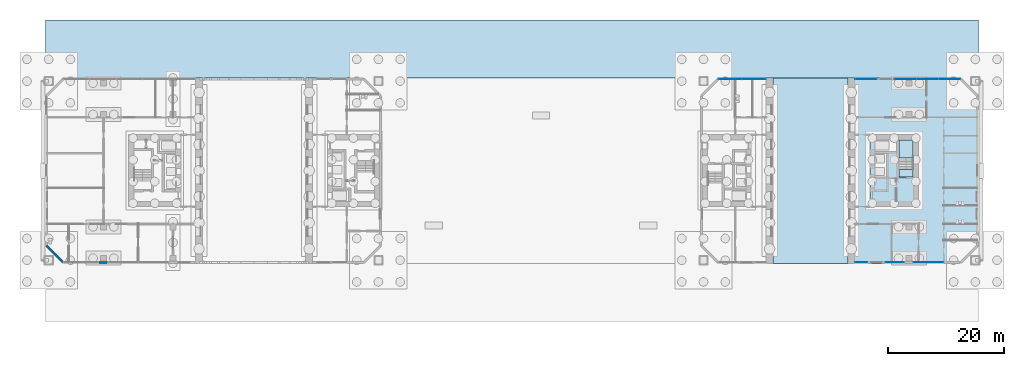
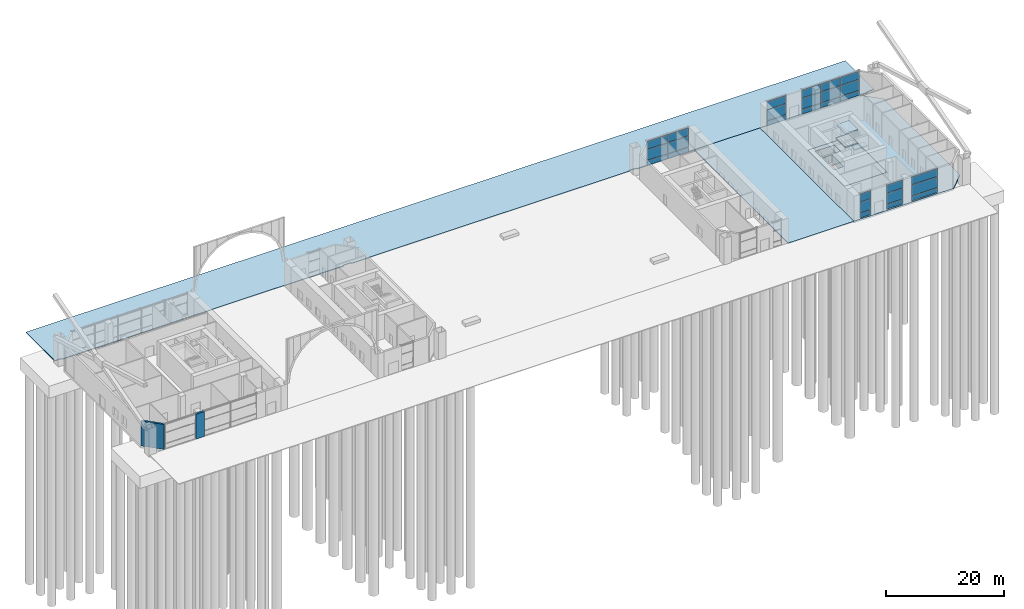
# One storey, part 12 of 26: 27 plates, 7 slabs, 2 walls, 7 elements without a shape of their own.
"""IFC4 building model written with IfcOpenShell, lengths in metres."""

from ifc_helpers import new_model, si_unit, direction, frame, frame_2d, origin, origin_2d, place, context, subcontext, project, spatial, polyline, rectangle, outline, extrude, material, layer, layer_set, type_object, element, aggregate, save


model = new_model("IFC4")

# Units and contexts
model_context = context("Model", 3, precision=1e-05, world=origin(), true_north=direction((0.0, 1.0)))
body_context = subcontext(model_context, "Body", "Model", "MODEL_VIEW")
ifc_project = project(units=[si_unit("LENGTHUNIT", "METRE"), si_unit("AREAUNIT", "SQUARE_METRE"), si_unit("VOLUMEUNIT", "CUBIC_METRE"), si_unit("PLANEANGLEUNIT", "RADIAN"), si_unit("MASSUNIT", "GRAM", prefix="KILO")], contexts=[model_context])

# Site, building, storey
site_placement = place(None, origin())
site = spatial("IfcSite", under=ifc_project, at=site_placement, CompositionType="ELEMENT")
building_placement = place(site_placement, origin())
building = spatial("IfcBuilding", under=site, at=building_placement, Name="Tuart Gate Housing", CompositionType="ELEMENT")
storey_placement = place(building_placement, origin())
storey = spatial("IfcBuildingStorey", under=building, at=storey_placement, Name="L00", CompositionType="ELEMENT", Elevation=0.0)

# Curtain wall, plates
ifc_material_1 = material(Name="Aluminium and clear glass", Category="aluminium")
curtain_wall_type = type_object("IfcCurtainWallType", Name="Ground storey glazing", PredefinedType="USERDEFINED", material=ifc_material_1)
curtain_wall_1_placement = place(storey_placement, origin())
curtain_wall_1 = element("IfcCurtainWall", 1, at=curtain_wall_1_placement, inside=storey, type_object=curtain_wall_type, Name="Ground storey glazing B-S L00", ObjectType="GROUND STOREY GLAZING", PredefinedType="USERDEFINED")
ifc_material_2 = material(Name="Clear glass", Category="glass")
ifc_layer_1 = layer(ifc_material_2, 0.028076171875)
ifc_layer_set_1 = layer_set([ifc_layer_1], Name="Glazed panel 28")
plate_type = type_object("IfcPlateType", Name="Glazed panel 28", PredefinedType="CURTAIN_PANEL", material=ifc_layer_set_1)
plate_1_placement = place(storey_placement, frame((158.77490234375, 54.179931640625, 0.1201171875), z_axis=(0.0, 0.0, 1.0), x_axis=(1.0, 0.0, 0.0)))
plate_1 = element("IfcPlate", 2, at=plate_1_placement, type_object=plate_type, Name="CW2 panel 1.1", PredefinedType="CURTAIN_PANEL", context=body_context, shape_type="SweptSolid", body=[
    extrude(rectangle(XDim=2.1298828125, YDim=0.028076171875, at=origin_2d()), origin(), (0.0, 0.0, 1.0), 0.919921875),
])
plate_2_placement = place(storey_placement, frame((158.77490234375, 54.179931640625, 1.16015625), z_axis=(0.0, 0.0, 1.0), x_axis=(1.0, 0.0, 0.0)))
plate_2 = element("IfcPlate", 3, at=plate_2_placement, type_object=plate_type, Name="CW2 panel 1.2", PredefinedType="CURTAIN_PANEL", context=body_context, shape_type="SweptSolid", body=[
    extrude(rectangle(XDim=2.1298828125, YDim=0.028076171875, at=origin_2d()), origin(), (0.0, 0.0, 1.0), 2.179931640625),
])
plate_3_placement = place(storey_placement, frame((158.77490234375, 54.179931640625, 3.4599609375), z_axis=(0.0, 0.0, 1.0), x_axis=(1.0, 0.0, 0.0)))
plate_3 = element("IfcPlate", 4, at=plate_3_placement, type_object=plate_type, Name="CW2 panel 1.3", PredefinedType="CURTAIN_PANEL", context=body_context, shape_type="SweptSolid", body=[
    extrude(rectangle(XDim=2.1298828125, YDim=0.028076171875, at=origin_2d()), origin(), (0.0, 0.0, 1.0), 1.6201171875),
])
aggregate(curtain_wall_1, [plate_1, plate_2, plate_3])

curtain_wall_2_placement = place(storey_placement, origin())
curtain_wall_2 = element("IfcCurtainWall", 5, at=curtain_wall_2_placement, inside=storey, type_object=curtain_wall_type, Name="Ground storey glazing B-S L00", ObjectType="GROUND STOREY GLAZING", PredefinedType="USERDEFINED")
plate_4_placement = place(storey_placement, frame((164.550048828125, 54.179931640625, 0.1201171875), z_axis=(0.0, 0.0, 1.0), x_axis=(1.0, 0.0, 0.0)))
plate_4 = element("IfcPlate", 6, at=plate_4_placement, type_object=plate_type, Name="CW2 panel 1.1", PredefinedType="CURTAIN_PANEL", context=body_context, shape_type="SweptSolid", body=[
    extrude(rectangle(XDim=3.179931640625, YDim=0.028076171875, at=origin_2d()), origin(), (0.0, 0.0, 1.0), 0.919921875),
])
plate_5_placement = place(storey_placement, frame((164.550048828125, 54.179931640625, 1.16015625), z_axis=(0.0, 0.0, 1.0), x_axis=(1.0, 0.0, 0.0)))
plate_5 = element("IfcPlate", 7, at=plate_5_placement, type_object=plate_type, Name="CW2 panel 1.2", PredefinedType="CURTAIN_PANEL", context=body_context, shape_type="SweptSolid", body=[
    extrude(rectangle(XDim=3.179931640625, YDim=0.028076171875, at=origin_2d()), origin(), (0.0, 0.0, 1.0), 2.179931640625),
])
plate_6_placement = place(storey_placement, frame((164.550048828125, 54.179931640625, 3.4599609375), z_axis=(0.0, 0.0, 1.0), x_axis=(1.0, 0.0, 0.0)))
plate_6 = element("IfcPlate", 8, at=plate_6_placement, type_object=plate_type, Name="CW2 panel 1.3", PredefinedType="CURTAIN_PANEL", context=body_context, shape_type="SweptSolid", body=[
    extrude(rectangle(XDim=3.179931640625, YDim=0.028076171875, at=origin_2d()), origin(), (0.0, 0.0, 1.0), 1.6201171875),
])
aggregate(curtain_wall_2, [plate_4, plate_5, plate_6])

curtain_wall_3_placement = place(storey_placement, origin())
curtain_wall_3 = element("IfcCurtainWall", 9, at=curtain_wall_3_placement, inside=storey, type_object=curtain_wall_type, Name="Ground storey glazing B-S L00", ObjectType="GROUND STOREY GLAZING", PredefinedType="USERDEFINED")
plate_7_placement = place(storey_placement, frame((170.39990234375, 54.179931640625, 0.1201171875), z_axis=(0.0, 0.0, 1.0), x_axis=(1.0, 0.0, 0.0)))
plate_7 = element("IfcPlate", 10, at=plate_7_placement, type_object=plate_type, Name="CW2 panel 1.1", PredefinedType="CURTAIN_PANEL", context=body_context, shape_type="SweptSolid", body=[
    extrude(rectangle(XDim=5.080078125, YDim=0.028076171875, at=origin_2d()), origin(), (0.0, 0.0, 1.0), 0.919921875),
])
plate_8_placement = place(storey_placement, frame((170.39990234375, 54.179931640625, 1.16015625), z_axis=(0.0, 0.0, 1.0), x_axis=(1.0, 0.0, 0.0)))
plate_8 = element("IfcPlate", 11, at=plate_8_placement, type_object=plate_type, Name="CW2 panel 1.2", PredefinedType="CURTAIN_PANEL", context=body_context, shape_type="SweptSolid", body=[
    extrude(rectangle(XDim=5.080078125, YDim=0.028076171875, at=origin_2d()), origin(), (0.0, 0.0, 1.0), 2.179931640625),
])
plate_9_placement = place(storey_placement, frame((170.39990234375, 54.179931640625, 3.4599609375), z_axis=(0.0, 0.0, 1.0), x_axis=(1.0, 0.0, 0.0)))
plate_9 = element("IfcPlate", 12, at=plate_9_placement, type_object=plate_type, Name="CW2 panel 1.3", PredefinedType="CURTAIN_PANEL", context=body_context, shape_type="SweptSolid", body=[
    extrude(rectangle(XDim=5.080078125, YDim=0.028076171875, at=origin_2d()), origin(), (0.0, 0.0, 1.0), 1.6201171875),
])
aggregate(curtain_wall_3, [plate_7, plate_8, plate_9])

curtain_wall_4_placement = place(storey_placement, origin())
curtain_wall_4 = element("IfcCurtainWall", 13, at=curtain_wall_4_placement, inside=storey, type_object=curtain_wall_type, Name="Ground storey glazing B-N L00", ObjectType="GROUND STOREY GLAZING", PredefinedType="USERDEFINED")
plate_10_placement = place(storey_placement, frame((174.006103515625, 85.820068359375, 0.1201171875), z_axis=(0.0, 0.0, 1.0), x_axis=(-1.0, 0.0, 0.0)))
plate_10 = element("IfcPlate", 14, at=plate_10_placement, type_object=plate_type, Name="CW2 panel 1.1", PredefinedType="CURTAIN_PANEL", context=body_context, shape_type="SweptSolid", body=[
    extrude(rectangle(XDim=3.718505859375, YDim=0.028076171875, at=origin_2d()), origin(), (0.0, 0.0, 1.0), 0.919921875),
])
plate_11_placement = place(storey_placement, frame((174.006103515625, 85.820068359375, 1.16015625), z_axis=(0.0, 0.0, 1.0), x_axis=(-1.0, 0.0, 0.0)))
plate_11 = element("IfcPlate", 15, at=plate_11_placement, type_object=plate_type, Name="CW2 panel 1.2", PredefinedType="CURTAIN_PANEL", context=body_context, shape_type="SweptSolid", body=[
    extrude(rectangle(XDim=3.718505859375, YDim=0.028076171875, at=origin_2d()), origin(), (0.0, 0.0, 1.0), 2.179931640625),
])
plate_12_placement = place(storey_placement, frame((174.006103515625, 85.820068359375, 3.4599609375), z_axis=(0.0, 0.0, 1.0), x_axis=(-1.0, 0.0, 0.0)))
plate_12 = element("IfcPlate", 16, at=plate_12_placement, type_object=plate_type, Name="CW2 panel 1.3", PredefinedType="CURTAIN_PANEL", context=body_context, shape_type="SweptSolid", body=[
    extrude(rectangle(XDim=3.718505859375, YDim=0.028076171875, at=origin_2d()), origin(), (0.0, 0.0, 1.0), 1.6201171875),
])
plate_13_placement = place(storey_placement, frame((170.212646484375, 85.820068359375, 0.1201171875), z_axis=(0.0, 0.0, 1.0), x_axis=(-1.0, 0.0, 0.0)))
plate_13 = element("IfcPlate", 17, at=plate_13_placement, type_object=plate_type, Name="CW2 panel 2.1", PredefinedType="CURTAIN_PANEL", context=body_context, shape_type="SweptSolid", body=[
    extrude(rectangle(XDim=3.74853515625, YDim=0.028076171875, at=origin_2d()), origin(), (0.0, 0.0, 1.0), 0.919921875),
])
plate_14_placement = place(storey_placement, frame((170.212646484375, 85.820068359375, 1.16015625), z_axis=(0.0, 0.0, 1.0), x_axis=(-1.0, 0.0, 0.0)))
plate_14 = element("IfcPlate", 18, at=plate_14_placement, type_object=plate_type, Name="CW2 panel 2.2", PredefinedType="CURTAIN_PANEL", context=body_context, shape_type="SweptSolid", body=[
    extrude(rectangle(XDim=3.74853515625, YDim=0.028076171875, at=origin_2d()), origin(), (0.0, 0.0, 1.0), 2.179931640625),
])
plate_15_placement = place(storey_placement, frame((170.212646484375, 85.820068359375, 3.4599609375), z_axis=(0.0, 0.0, 1.0), x_axis=(-1.0, 0.0, 0.0)))
plate_15 = element("IfcPlate", 19, at=plate_15_placement, type_object=plate_type, Name="CW2 panel 2.3", PredefinedType="CURTAIN_PANEL", context=body_context, shape_type="SweptSolid", body=[
    extrude(rectangle(XDim=3.74853515625, YDim=0.028076171875, at=origin_2d()), origin(), (0.0, 0.0, 1.0), 1.6201171875),
])
plate_16_placement = place(storey_placement, frame((166.419189453125, 85.820068359375, 0.1201171875), z_axis=(0.0, 0.0, 1.0), x_axis=(-1.0, 0.0, 0.0)))
plate_16 = element("IfcPlate", 20, at=plate_16_placement, type_object=plate_type, Name="CW2 panel 3.1", PredefinedType="CURTAIN_PANEL", context=body_context, shape_type="SweptSolid", body=[
    extrude(rectangle(XDim=3.718505859375, YDim=0.028076171875, at=origin_2d()), origin(), (0.0, 0.0, 1.0), 0.919921875),
])
plate_17_placement = place(storey_placement, frame((166.419189453125, 85.820068359375, 1.16015625), z_axis=(0.0, 0.0, 1.0), x_axis=(-1.0, 0.0, 0.0)))
plate_17 = element("IfcPlate", 21, at=plate_17_placement, type_object=plate_type, Name="CW2 panel 3.2", PredefinedType="CURTAIN_PANEL", context=body_context, shape_type="SweptSolid", body=[
    extrude(rectangle(XDim=3.718505859375, YDim=0.028076171875, at=origin_2d()), origin(), (0.0, 0.0, 1.0), 2.179931640625),
])
plate_18_placement = place(storey_placement, frame((166.419189453125, 85.820068359375, 3.4599609375), z_axis=(0.0, 0.0, 1.0), x_axis=(-1.0, 0.0, 0.0)))
plate_18 = element("IfcPlate", 22, at=plate_18_placement, type_object=plate_type, Name="CW2 panel 3.3", PredefinedType="CURTAIN_PANEL", context=body_context, shape_type="SweptSolid", body=[
    extrude(rectangle(XDim=3.718505859375, YDim=0.028076171875, at=origin_2d()), origin(), (0.0, 0.0, 1.0), 1.6201171875),
])
aggregate(curtain_wall_4, [plate_10, plate_11, plate_12, plate_13, plate_14, plate_15, plate_16, plate_17, plate_18])

curtain_wall_5_placement = place(storey_placement, origin())
curtain_wall_5 = element("IfcCurtainWall", 23, at=curtain_wall_5_placement, inside=storey, type_object=curtain_wall_type, Name="Ground storey glazing B-N L00", ObjectType="GROUND STOREY GLAZING", PredefinedType="USERDEFINED")
plate_19_placement = place(storey_placement, frame((159.574951171875, 85.820068359375, 0.1201171875), z_axis=(0.0, 0.0, 1.0), x_axis=(-1.0, 0.0, 0.0)))
plate_19 = element("IfcPlate", 24, at=plate_19_placement, type_object=plate_type, Name="CW2 panel 1.1", PredefinedType="CURTAIN_PANEL", context=body_context, shape_type="SweptSolid", body=[
    extrude(rectangle(XDim=3.72998046875, YDim=0.028076171875, at=origin_2d()), origin(), (0.0, 0.0, 1.0), 0.919921875),
])
plate_20_placement = place(storey_placement, frame((159.574951171875, 85.820068359375, 1.16015625), z_axis=(0.0, 0.0, 1.0), x_axis=(-1.0, 0.0, 0.0)))
plate_20 = element("IfcPlate", 25, at=plate_20_placement, type_object=plate_type, Name="CW2 panel 1.2", PredefinedType="CURTAIN_PANEL", context=body_context, shape_type="SweptSolid", body=[
    extrude(rectangle(XDim=3.72998046875, YDim=0.028076171875, at=origin_2d()), origin(), (0.0, 0.0, 1.0), 2.179931640625),
])
plate_21_placement = place(storey_placement, frame((159.574951171875, 85.820068359375, 3.4599609375), z_axis=(0.0, 0.0, 1.0), x_axis=(-1.0, 0.0, 0.0)))
plate_21 = element("IfcPlate", 26, at=plate_21_placement, type_object=plate_type, Name="CW2 panel 1.3", PredefinedType="CURTAIN_PANEL", context=body_context, shape_type="SweptSolid", body=[
    extrude(rectangle(XDim=3.72998046875, YDim=0.028076171875, at=origin_2d()), origin(), (0.0, 0.0, 1.0), 1.6201171875),
])
aggregate(curtain_wall_5, [plate_19, plate_20, plate_21])

curtain_wall_6_placement = place(storey_placement, origin())
curtain_wall_6 = element("IfcCurtainWall", 27, at=curtain_wall_6_placement, inside=storey, type_object=curtain_wall_type, Name="Ground storey glazing B-N L00", ObjectType="GROUND STOREY GLAZING", PredefinedType="USERDEFINED")
plate_22_placement = place(storey_placement, frame((140.26611328125, 85.820068359375, 0.1201171875), z_axis=(0.0, 0.0, 1.0), x_axis=(-1.0, 0.0, 0.0)))
plate_22 = element("IfcPlate", 28, at=plate_22_placement, type_object=plate_type, Name="CW2 panel 1.1", PredefinedType="CURTAIN_PANEL", context=body_context, shape_type="SweptSolid", body=[
    extrude(rectangle(XDim=4.0478515625, YDim=0.028076171875, at=origin_2d()), origin(), (0.0, 0.0, 1.0), 0.919921875),
])
plate_23_placement = place(storey_placement, frame((140.26611328125, 85.820068359375, 1.16015625), z_axis=(0.0, 0.0, 1.0), x_axis=(-1.0, 0.0, 0.0)))
plate_23 = element("IfcPlate", 29, at=plate_23_placement, type_object=plate_type, Name="CW2 panel 1.2", PredefinedType="CURTAIN_PANEL", context=body_context, shape_type="SweptSolid", body=[
    extrude(rectangle(XDim=4.0478515625, YDim=0.028076171875, at=origin_2d()), origin(), (0.0, 0.0, 1.0), 2.179931640625),
])
plate_24_placement = place(storey_placement, frame((140.26611328125, 85.820068359375, 3.4599609375), z_axis=(0.0, 0.0, 1.0), x_axis=(-1.0, 0.0, 0.0)))
plate_24 = element("IfcPlate", 30, at=plate_24_placement, type_object=plate_type, Name="CW2 panel 1.3", PredefinedType="CURTAIN_PANEL", context=body_context, shape_type="SweptSolid", body=[
    extrude(rectangle(XDim=4.0478515625, YDim=0.028076171875, at=origin_2d()), origin(), (0.0, 0.0, 1.0), 1.6201171875),
])
plate_25_placement = place(storey_placement, frame((136.158447265625, 85.820068359375, 0.1201171875), z_axis=(0.0, 0.0, 1.0), x_axis=(-1.0, 0.0, 0.0)))
plate_25 = element("IfcPlate", 31, at=plate_25_placement, type_object=plate_type, Name="CW2 panel 2.1", PredefinedType="CURTAIN_PANEL", context=body_context, shape_type="SweptSolid", body=[
    extrude(rectangle(XDim=4.0478515625, YDim=0.028076171875, at=origin_2d()), origin(), (0.0, 0.0, 1.0), 0.919921875),
])
plate_26_placement = place(storey_placement, frame((136.158447265625, 85.820068359375, 1.16015625), z_axis=(0.0, 0.0, 1.0), x_axis=(-1.0, 0.0, 0.0)))
plate_26 = element("IfcPlate", 32, at=plate_26_placement, type_object=plate_type, Name="CW2 panel 2.2", PredefinedType="CURTAIN_PANEL", context=body_context, shape_type="SweptSolid", body=[
    extrude(rectangle(XDim=4.0478515625, YDim=0.028076171875, at=origin_2d()), origin(), (0.0, 0.0, 1.0), 2.179931640625),
])
plate_27_placement = place(storey_placement, frame((136.158447265625, 85.820068359375, 3.4599609375), z_axis=(0.0, 0.0, 1.0), x_axis=(-1.0, 0.0, 0.0)))
plate_27 = element("IfcPlate", 33, at=plate_27_placement, type_object=plate_type, Name="CW2 panel 2.3", PredefinedType="CURTAIN_PANEL", context=body_context, shape_type="SweptSolid", body=[
    extrude(rectangle(XDim=4.0478515625, YDim=0.028076171875, at=origin_2d()), origin(), (0.0, 0.0, 1.0), 1.6201171875),
])
aggregate(curtain_wall_6, [plate_22, plate_23, plate_24, plate_25, plate_26, plate_27])

# Slabs
ifc_material_3 = material(Name="Concrete C40", Category="concrete")
ifc_layer_2 = layer(ifc_material_3, 1.60009765625)
ifc_layer_set_2 = layer_set([ifc_layer_2], Name="Ground slab 1600")
slab_type_1 = type_object("IfcSlabType", Name="Ground slab 1600", PredefinedType="BASESLAB", material=ifc_layer_set_2)
slab_1_placement = place(storey_placement, frame((0.0, 0.0, -1.60009765625)))
element("IfcSlab", 34, at=slab_1_placement, inside=storey, type_object=slab_type_1, Name="Core ground slab BK", PredefinedType="BASESLAB", context=body_context, shape_type="SweptSolid", body=[
    extrude(outline(polyline([(160.239990234375, 76.199951171875), (160.239990234375, 63.800048828125), (168.639892578125, 63.800048828125), (168.639892578125, 76.199951171875), (160.239990234375, 76.199951171875)]), holes=[polyline([(161.139892578125, 75.300048828125), (164.840087890625, 75.300048828125), (164.840087890625, 73.14990234375), (161.139892578125, 73.14990234375), (161.139892578125, 75.300048828125)]), polyline([(163.090087890625, 72.949951171875), (163.090087890625, 68.949951171875), (161.139892578125, 68.949951171875), (161.139892578125, 72.949951171875), (163.090087890625, 72.949951171875)])]), origin(), (0.0, 0.0, 1.0), 1.60009765625),
])
ifc_material_4 = material(Name="Concrete C40", Category="concrete")
ifc_layer_3 = layer(ifc_material_4, 0.35009765625)
ifc_layer_set_3 = layer_set([ifc_layer_3], Name="Ground slab 350")
slab_type_2 = type_object("IfcSlabType", Name="Ground slab 350", PredefinedType="BASESLAB", material=ifc_layer_set_3)
slab_2_placement = place(storey_placement, frame((0.0, 0.0, -0.35009765625)))
element("IfcSlab", 35, at=slab_2_placement, inside=storey, type_object=slab_type_2, Name="Ground slab B part 2 L00", PredefinedType="BASESLAB", context=body_context, shape_type="SweptSolid", body=[
    extrude(outline(polyline([(156.449951171875, 54.0), (176.0, 54.0), (179.0, 57.0), (179.0, 83.0), (176.0, 86.0), (156.449951171875, 86.0), (156.449951171875, 54.0)]), holes=[polyline([(168.639892578125, 76.199951171875), (168.639892578125, 63.800048828125), (160.239990234375, 63.800048828125), (160.239990234375, 76.199951171875), (168.639892578125, 76.199951171875)])]), origin(), (0.0, 0.0, 1.0), 0.35009765625),
])
ifc_material_5 = material(Name="Brick paving", Category="masonry")
ifc_layer_4 = layer(ifc_material_5, 0.14990234375)
ifc_layer_set_4 = layer_set([ifc_layer_4], Name="Paving slab 150")
slab_type_3 = type_object("IfcSlabType", Name="Paving slab 150", PredefinedType="USERDEFINED", material=ifc_layer_set_4)
slab_3_placement = place(storey_placement, frame((0.0, 0.0, -0.14990234375)))
element("IfcSlab", 36, at=slab_3_placement, inside=storey, type_object=slab_type_3, Name="Paving passage-B", ObjectType="PAVING", PredefinedType="USERDEFINED", context=body_context, shape_type="SweptSolid", body=[
    extrude(outline(polyline([(143.550048828125, 54.0), (156.449951171875, 54.0), (156.449951171875, 86.0), (143.550048828125, 86.0), (143.550048828125, 54.0)])), origin(), (0.0, 0.0, 1.0), 0.14990234375),
])
slab_4_placement = place(storey_placement, frame((0.0, 0.0, -0.14990234375)))
element("IfcSlab", 37, at=slab_4_placement, inside=storey, type_object=slab_type_3, Name="Paving apron-north", ObjectType="PAVING", PredefinedType="USERDEFINED", context=body_context, shape_type="SweptSolid", body=[
    extrude(outline(polyline([(18.0, 96.0), (18.0, 86.199951171875), (19.300048828125, 86.199951171875), (19.300048828125, 86.0), (74.699951171875, 86.0), (74.699951171875, 86.199951171875), (76.199951171875, 86.199951171875), (76.199951171875, 86.0), (130.800048828125, 86.0), (130.800048828125, 86.199951171875), (132.300048828125, 86.199951171875), (132.300048828125, 86.0), (177.699951171875, 86.0), (177.699951171875, 86.199951171875), (179.0, 86.199951171875), (179.0, 96.0), (18.0, 96.0)])), origin(), (0.0, 0.0, 1.0), 0.14990234375),
])

# Stair, slabs
ifc_material_6 = material(Name="Concrete C40", Category="concrete")
stair_type = type_object("IfcStairType", Name="Core stair 1250", PredefinedType="HALF_TURN_STAIR", material=ifc_material_6)
stair_placement = place(storey_placement, origin())
stair = element("IfcStair", 38, at=stair_placement, inside=storey, type_object=stair_type, Name="Stair SB2", PredefinedType="HALF_TURN_STAIR")
ifc_material_7 = material(Name="Concrete C40", Category="concrete")
ifc_layer_5 = layer(ifc_material_7, 0.199951171875)
ifc_layer_set_5 = layer_set([ifc_layer_5], Name="Stair landing 200")
slab_type_4 = type_object("IfcSlabType", Name="Stair landing 200", PredefinedType="LANDING", material=ifc_layer_set_5)
slab_5_placement = place(storey_placement, frame((0.0, 0.0, 1.175048828125)))
slab_5 = element("IfcSlab", 39, at=slab_5_placement, type_object=slab_type_4, Name="SB2 landing 1", PredefinedType="LANDING", context=body_context, shape_type="SweptSolid", body=[
    extrude(outline(polyline([(165.239990234375, 72.159912109375), (167.739990234375, 72.159912109375), (167.739990234375, 75.300048828125), (165.239990234375, 75.300048828125), (165.239990234375, 72.159912109375)])), origin(), (0.0, 0.0, 1.0), 0.199951171875),
])
slab_6_placement = place(storey_placement, frame((0.0, 0.0, 2.550048828125)))
slab_6 = element("IfcSlab", 40, at=slab_6_placement, type_object=slab_type_4, Name="SB2 landing 2", PredefinedType="LANDING", context=body_context, shape_type="SweptSolid", body=[
    extrude(outline(polyline([(167.739990234375, 68.949951171875), (167.739990234375, 70.199951171875), (165.239990234375, 70.199951171875), (165.239990234375, 68.949951171875), (167.739990234375, 68.949951171875)])), origin(), (0.0, 0.0, 1.0), 0.199951171875),
])
slab_7_placement = place(storey_placement, frame((0.0, 0.0, 3.925048828125)))
slab_7 = element("IfcSlab", 41, at=slab_7_placement, type_object=slab_type_4, Name="SB2 landing 3", PredefinedType="LANDING", context=body_context, shape_type="SweptSolid", body=[
    extrude(outline(polyline([(165.239990234375, 72.159912109375), (167.739990234375, 72.159912109375), (167.739990234375, 75.300048828125), (165.239990234375, 75.300048828125), (165.239990234375, 72.159912109375)])), origin(), (0.0, 0.0, 1.0), 0.199951171875),
])
aggregate(stair, [slab_5, slab_6, slab_7])

# Walls
ifc_material_8 = material(Name="Brick", Category="masonry")
ifc_layer_6 = layer(ifc_material_8, 0.360107421875)
ifc_layer_set_6 = layer_set([ifc_layer_6], Name="Brick pier and spandrel wall 360")
wall_type = type_object("IfcWallType", Name="Brick pier and spandrel wall 360", PredefinedType="STANDARD", material=ifc_layer_set_6)
wall_1_placement = place(storey_placement, frame((18.179931640625, 57.07470703125, 0.0), z_axis=(0.0, 0.0, 1.0), x_axis=(0.707106781187, -0.707106781187, 0.0)))
element("IfcWall", 42, at=wall_1_placement, inside=storey, type_object=wall_type, Name="External wall A-SW L00", PredefinedType="STANDARD", context=body_context, shape_type="SweptSolid", body=[
    extrude(rectangle(XDim=4.09375, YDim=0.360107421875, at=frame_2d((2.046875, 0.0))), origin(), (0.0, 0.0, 1.0), 5.199951171875),
])
wall_2_placement = place(storey_placement, frame((27.199951171875, 54.179931640625, 0.0), z_axis=(0.0, 0.0, 1.0), x_axis=(1.0, 0.0, 0.0)))
element("IfcWall", 43, at=wall_2_placement, inside=storey, type_object=wall_type, Name="External wall A-S L00", PredefinedType="STANDARD", context=body_context, shape_type="SweptSolid", body=[
    extrude(rectangle(XDim=1.60009765625, YDim=0.360107421875, at=frame_2d((0.800048828125, 0.0))), origin(), (0.0, 0.0, 1.0), 5.199951171875),
])

save(model, "model.ifc")
